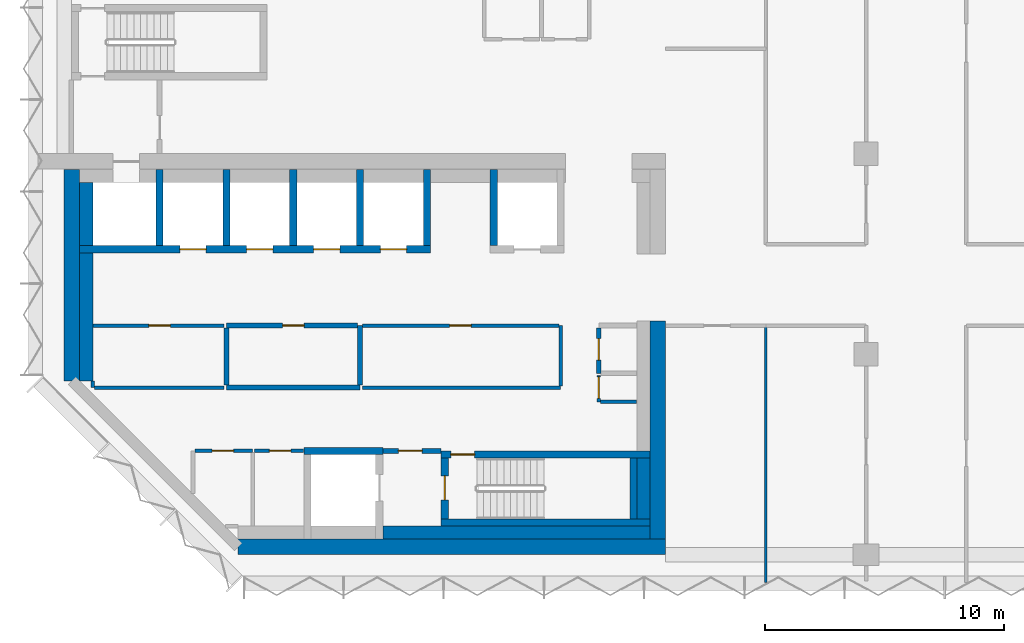
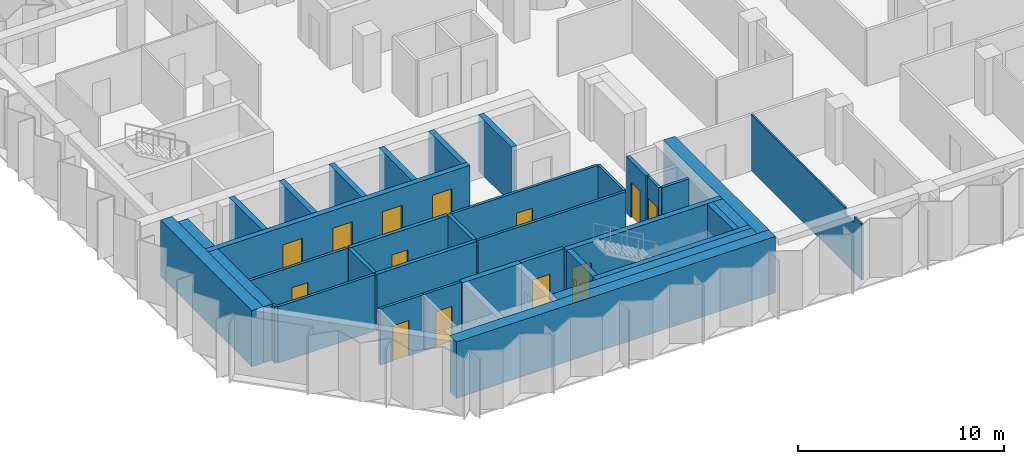
# One storey, part 5 of 10: 36 walls, 14 doors, 14 openings.
"""IFC4 building model written with IfcOpenShell, lengths in metres."""

from ifc_helpers import new_model, si_unit, direction, frame, frame_2d, origin, place, context, subcontext, project, spatial, polyline, rectangle, outline, extrude, material, layer, layer_set, type_object, element, fill, save


model = new_model("IFC4")

# Units and contexts
model_context = context("Model", 3, precision=1e-05, world=origin(), true_north=direction((0.0, 1.0)))
body_context = subcontext(model_context, "Body", "Model", "MODEL_VIEW")
ifc_project = project(units=[si_unit("LENGTHUNIT", "METRE"), si_unit("AREAUNIT", "SQUARE_METRE"), si_unit("VOLUMEUNIT", "CUBIC_METRE"), si_unit("PLANEANGLEUNIT", "RADIAN"), si_unit("MASSUNIT", "GRAM", prefix="KILO")], contexts=[model_context])

# Site, building, storey
site_placement = place(None, origin())
site = spatial("IfcSite", under=ifc_project, at=site_placement, CompositionType="ELEMENT")
building_placement = place(site_placement, origin())
building = spatial("IfcBuilding", under=site, at=building_placement, Name="Brevane Broadcast Tower", CompositionType="ELEMENT")
storey_placement = place(building_placement, frame((0.0, 0.0, 174.0)))
storey = spatial("IfcBuildingStorey", under=building, at=storey_placement, Name="L43", CompositionType="ELEMENT", Elevation=174.0)

# Walls
ifc_material_1 = material(Name="Concrete C32/40", Category="concrete")
ifc_layer_1 = layer(ifc_material_1, 0.550048828125)
ifc_layer_set_1 = layer_set([ifc_layer_1], Name="Core chase wall 550 mm")
wall_type_1 = type_object("IfcWallType", Name="Core chase wall 550 mm", PredefinedType="PARTITIONING", material=ifc_layer_set_1)
wall_1_placement = place(storey_placement, frame((0.925048828125, 7.286376953125, 0.0), z_axis=(0.0, 0.0, 1.0), x_axis=(0.0, 1.0, 0.0)))
element("IfcWall", 1, at=wall_1_placement, inside=storey, type_object=wall_type_1, Name="L43 chase wall LW-1", PredefinedType="PARTITIONING", context=body_context, shape_type="SweptSolid", body=[
    extrude(rectangle(XDim=5.363525390625, YDim=0.550048828125, at=frame_2d((2.681640625, 0.0))), origin(), (0.0, 0.0, 1.0), 3.35009765625),
])
wall_2_placement = place(storey_placement, frame((0.925048828125, 12.949951171875, 0.0), z_axis=(0.0, 0.0, 1.0), x_axis=(0.0, 1.0, 0.0)))
element("IfcWall", 2, at=wall_2_placement, inside=storey, type_object=wall_type_1, Name="L43 chase wall LW-2", PredefinedType="PARTITIONING", context=body_context, shape_type="SweptSolid", body=[
    extrude(rectangle(XDim=2.650146484375, YDim=0.550048828125, at=frame_2d((1.3251953125, 0.0))), origin(), (0.0, 0.0, 1.0), 3.35009765625),
])
wall_3_placement = place(storey_placement, frame((13.35009765625, 0.925048828125, 0.0), z_axis=(0.0, 0.0, 1.0), x_axis=(1.0, 0.0, 0.0)))
element("IfcWall", 3, at=wall_3_placement, inside=storey, type_object=wall_type_1, Name="L43 chase wall LS-2-2", PredefinedType="PARTITIONING", context=body_context, shape_type="SweptSolid", body=[
    extrude(rectangle(XDim=11.199951171875, YDim=0.550048828125, at=frame_2d((5.60009765625, 0.0))), origin(), (0.0, 0.0, 1.0), 3.35009765625),
])
wall_4_placement = place(storey_placement, frame((24.27490234375, 1.5, 0.0), z_axis=(0.0, 0.0, 1.0), x_axis=(0.0, 1.0, 0.0)))
element("IfcWall", 4, at=wall_4_placement, inside=storey, type_object=wall_type_1, Name="L43 chase wall LE1-2-1", PredefinedType="PARTITIONING", context=body_context, shape_type="SweptSolid", body=[
    extrude(rectangle(XDim=2.550048828125, YDim=0.550048828125, at=frame_2d((1.27490234375, 0.0))), origin(), (0.0, 0.0, 1.0), 3.35009765625),
])

# Wall, opening, door
ifc_material_2 = material(Name="Gypsum board on steel studs", Category="steel")
ifc_layer_2 = layer(ifc_material_2, 0.14990234375)
ifc_layer_set_2 = layer_set([ifc_layer_2], Name="Core fire partition 150 mm")
wall_type_2 = type_object("IfcWallType", Name="Core fire partition 150 mm", PredefinedType="PARTITIONING", material=ifc_layer_set_2)
wall_5_placement = place(storey_placement, frame((5.47509765625, 4.35009765625, 0.0), z_axis=(0.0, 0.0, 1.0), x_axis=(1.0, 0.0, 0.0)))
wall_5 = element("IfcWall", 5, at=wall_5_placement, inside=storey, type_object=wall_type_2, Name="L43 partition wall P12", PredefinedType="PARTITIONING", context=body_context, shape_type="SweptSolid", body=[
    extrude(rectangle(XDim=2.4248046875, YDim=0.14990234375, at=frame_2d((1.21240234375, 0.0))), origin(), (0.0, 0.0, 1.0), 3.35009765625),
])
opening_1_placement = place(wall_5_placement, frame((0.72509765625, 0.0, 0.0)))
opening_1 = element("IfcOpeningElement", 6, at=opening_1_placement, cuts=wall_5, Name="Opening L43-K14", PredefinedType="OPENING", context=body_context, shape_type="SweptSolid", body=[
    extrude(rectangle(XDim=0.89990234375, YDim=2.10009765625, at=frame_2d((0.449951171875, 1.050048828125))), frame((0.0, 0.0849609375, 0.0), z_axis=(0.0, -1.0, 0.0), x_axis=(1.0, 0.0, 0.0)), (0.0, 0.0, 1.0), 0.169921875),
])
ifc_material_3 = material(Name="Timber", Category="wood")
door_type_1 = type_object("IfcDoorType", Name="Toilet door 900 x 2100", OperationType="SINGLE_SWING_LEFT", PredefinedType="DOOR", material=ifc_material_3)
door_1_placement = place(opening_1_placement, origin())
door_1 = element("IfcDoor", 7, at=door_1_placement, inside=storey, type_object=door_type_1, Name="Door L43-K14", OperationType="SINGLE_SWING_RIGHT", OverallHeight=2.10009765625, OverallWidth=0.89990234375, PredefinedType="DOOR", context=body_context, shape_type="SweptSolid", body=[
    extrude(rectangle(XDim=0.89990234375, YDim=2.10009765625, at=frame_2d((0.449951171875, 1.050048828125))), frame((0.0, 0.02490234375, 0.0), z_axis=(0.0, -1.0, 0.0), x_axis=(1.0, 0.0, 0.0)), (0.0, 0.0, 1.0), 0.050048828125),
])
fill(opening_1, door_1)

wall_6_placement = place(storey_placement, frame((6.699951171875, 9.60009765625, 0.0), z_axis=(0.0, 0.0, 1.0), x_axis=(-1.0, 0.0, 0.0)))
wall_6 = element("IfcWall", 8, at=wall_6_placement, inside=storey, type_object=wall_type_2, Name="L43 partition wall P15", PredefinedType="PARTITIONING", context=body_context, shape_type="SweptSolid", body=[
    extrude(rectangle(XDim=5.488037109375, YDim=0.14990234375, at=frame_2d((2.744140625, 0.0))), origin(), (0.0, 0.0, 1.0), 3.35009765625),
])
opening_2_placement = place(wall_6_placement, frame((2.25, 0.0, 0.0)))
opening_2 = element("IfcOpeningElement", 9, at=opening_2_placement, cuts=wall_6, Name="Opening L43-K19", PredefinedType="OPENING", context=body_context, shape_type="SweptSolid", body=[
    extrude(rectangle(XDim=0.89990234375, YDim=2.10009765625, at=frame_2d((0.449951171875, 1.050048828125))), frame((0.0, 0.0849609375, 0.0), z_axis=(0.0, -1.0, 0.0), x_axis=(1.0, 0.0, 0.0)), (0.0, 0.0, 1.0), 0.169921875),
])
ifc_material_4 = material(Name="Steel", Category="steel")
door_type_2 = type_object("IfcDoorType", Name="Service room door 900 x 2100", OperationType="SINGLE_SWING_LEFT", PredefinedType="DOOR", material=ifc_material_4)
door_2_placement = place(opening_2_placement, origin())
door_2 = element("IfcDoor", 10, at=door_2_placement, inside=storey, type_object=door_type_2, Name="Door L43-K19", OperationType="SINGLE_SWING_LEFT", OverallHeight=2.10009765625, OverallWidth=0.89990234375, PredefinedType="DOOR", context=body_context, shape_type="SweptSolid", body=[
    extrude(rectangle(XDim=0.89990234375, YDim=2.10009765625, at=frame_2d((0.449951171875, 1.050048828125))), frame((0.0, 0.02490234375, 0.0), z_axis=(0.0, -1.0, 0.0), x_axis=(1.0, 0.0, 0.0)), (0.0, 0.0, 1.0), 0.050048828125),
])
fill(opening_2, door_2)

# Walls
wall_7_placement = place(storey_placement, frame((1.199951171875, 7.2744140625, 0.0), z_axis=(0.0, 0.0, 1.0), x_axis=(0.0, -1.0, 0.0)))
element("IfcWall", 11, at=wall_7_placement, inside=storey, type_object=wall_type_2, Name="L43 partition wall P16", PredefinedType="PARTITIONING", context=body_context, shape_type="SweptSolid", body=[
    extrude(rectangle(XDim=0.2744140625, YDim=0.14990234375, at=frame_2d((0.13720703125, 0.0))), origin(), (0.0, 0.0, 1.0), 3.35009765625),
])
wall_8_placement = place(storey_placement, frame((1.27490234375, 7.0, 0.0), z_axis=(0.0, 0.0, 1.0), x_axis=(1.0, 0.0, 0.0)))
element("IfcWall", 12, at=wall_8_placement, inside=storey, type_object=wall_type_2, Name="L43 partition wall P17", PredefinedType="PARTITIONING", context=body_context, shape_type="SweptSolid", body=[
    extrude(rectangle(XDim=5.425048828125, YDim=0.14990234375, at=frame_2d((2.71240234375, 0.0))), origin(), (0.0, 0.0, 1.0), 3.35009765625),
])

# Wall, opening, door
wall_9_placement = place(storey_placement, frame((10.0380859375, 4.35009765625, 0.0), z_axis=(0.0, 0.0, 1.0), x_axis=(-1.0, 0.0, 0.0)))
wall_9 = element("IfcWall", 13, at=wall_9_placement, inside=storey, type_object=wall_type_2, Name="L43 partition wall P18", PredefinedType="PARTITIONING", context=body_context, shape_type="SweptSolid", body=[
    extrude(rectangle(XDim=2.06298828125, YDim=0.14990234375, at=frame_2d((1.031494140625, 0.0))), origin(), (0.0, 0.0, 1.0), 3.35009765625),
])
opening_3_placement = place(wall_9_placement, frame((0.5380859375, 0.0, 0.0)))
opening_3 = element("IfcOpeningElement", 14, at=opening_3_placement, cuts=wall_9, Name="Opening L43-K15", PredefinedType="OPENING", context=body_context, shape_type="SweptSolid", body=[
    extrude(rectangle(XDim=0.89990234375, YDim=2.10009765625, at=frame_2d((0.449951171875, 1.050048828125))), frame((0.0, 0.0849609375, 0.0), z_axis=(0.0, -1.0, 0.0), x_axis=(1.0, 0.0, 0.0)), (0.0, 0.0, 1.0), 0.169921875),
])
door_3_placement = place(opening_3_placement, origin())
door_3 = element("IfcDoor", 15, at=door_3_placement, inside=storey, type_object=door_type_1, Name="Door L43-K15", OperationType="SINGLE_SWING_LEFT", OverallHeight=2.10009765625, OverallWidth=0.89990234375, PredefinedType="DOOR", context=body_context, shape_type="SweptSolid", body=[
    extrude(rectangle(XDim=0.89990234375, YDim=2.10009765625, at=frame_2d((0.449951171875, 1.050048828125))), frame((0.0, 0.02490234375, 0.0), z_axis=(0.0, -1.0, 0.0), x_axis=(1.0, 0.0, 0.0)), (0.0, 0.0, 1.0), 0.050048828125),
])
fill(opening_3, door_3)

# Walls
wall_10_placement = place(storey_placement, frame((12.5, 7.0, 0.0), z_axis=(0.0, 0.0, 1.0), x_axis=(1.0, 0.0, 0.0)))
element("IfcWall", 16, at=wall_10_placement, inside=storey, type_object=wall_type_2, Name="L43 partition wall P19", PredefinedType="PARTITIONING", context=body_context, shape_type="SweptSolid", body=[
    extrude(rectangle(XDim=8.300048828125, YDim=0.14990234375, at=frame_2d((4.14990234375, 0.0))), origin(), (0.0, 0.0, 1.0), 3.35009765625),
])
wall_11_placement = place(storey_placement, frame((20.800048828125, 7.074951171875, 0.0), z_axis=(0.0, 0.0, 1.0), x_axis=(0.0, 1.0, 0.0)))
element("IfcWall", 17, at=wall_11_placement, inside=storey, type_object=wall_type_2, Name="L43 partition wall P20", PredefinedType="PARTITIONING", context=body_context, shape_type="SweptSolid", body=[
    extrude(rectangle(XDim=2.525146484375, YDim=0.14990234375, at=frame_2d((1.2626953125, 0.0))), origin(), (0.0, 0.0, 1.0), 3.35009765625),
])

# Wall, opening, door
wall_12_placement = place(storey_placement, frame((20.72509765625, 9.60009765625, 0.0), z_axis=(0.0, 0.0, 1.0), x_axis=(-1.0, 0.0, 0.0)))
wall_12 = element("IfcWall", 18, at=wall_12_placement, inside=storey, type_object=wall_type_2, Name="L43 partition wall P21", PredefinedType="PARTITIONING", context=body_context, shape_type="SweptSolid", body=[
    extrude(rectangle(XDim=8.22509765625, YDim=0.14990234375, at=frame_2d((4.112548828125, 0.0))), origin(), (0.0, 0.0, 1.0), 3.35009765625),
])
opening_4_placement = place(wall_12_placement, frame((3.675048828125, 0.0, 0.0)))
opening_4 = element("IfcOpeningElement", 19, at=opening_4_placement, cuts=wall_12, Name="Opening L43-K21", PredefinedType="OPENING", context=body_context, shape_type="SweptSolid", body=[
    extrude(rectangle(XDim=0.89990234375, YDim=2.10009765625, at=frame_2d((0.449951171875, 1.050048828125))), frame((0.0, 0.0849609375, 0.0), z_axis=(0.0, -1.0, 0.0), x_axis=(1.0, 0.0, 0.0)), (0.0, 0.0, 1.0), 0.169921875),
])
door_4_placement = place(opening_4_placement, origin())
door_4 = element("IfcDoor", 20, at=door_4_placement, inside=storey, type_object=door_type_2, Name="Door L43-K21", OperationType="SINGLE_SWING_LEFT", OverallHeight=2.10009765625, OverallWidth=0.89990234375, PredefinedType="DOOR", context=body_context, shape_type="SweptSolid", body=[
    extrude(rectangle(XDim=0.89990234375, YDim=2.10009765625, at=frame_2d((0.449951171875, 1.050048828125))), frame((0.0, 0.02490234375, 0.0), z_axis=(0.0, -1.0, 0.0), x_axis=(1.0, 0.0, 0.0)), (0.0, 0.0, 1.0), 0.050048828125),
])
fill(opening_4, door_4)

wall_13_placement = place(storey_placement, frame((22.39990234375, 7.5, 0.0), z_axis=(0.0, 0.0, 1.0), x_axis=(0.0, -1.0, 0.0)))
wall_13 = element("IfcWall", 21, at=wall_13_placement, inside=storey, type_object=wall_type_2, Name="L43 partition wall P29", PredefinedType="PARTITIONING", context=body_context, shape_type="SweptSolid", body=[
    extrude(rectangle(XDim=1.10009765625, YDim=0.14990234375, at=frame_2d((0.550048828125, 0.0))), origin(), (0.0, 0.0, 1.0), 3.35009765625),
])
opening_5_placement = place(wall_13_placement, frame((0.050048828125, 0.0, 0.0)))
opening_5 = element("IfcOpeningElement", 22, at=opening_5_placement, cuts=wall_13, Name="Opening L43-K17", PredefinedType="OPENING", context=body_context, shape_type="SweptSolid", body=[
    extrude(rectangle(XDim=0.89990234375, YDim=2.10009765625, at=frame_2d((0.449951171875, 1.050048828125))), frame((0.0, 0.0849609375, 0.0), z_axis=(0.0, -1.0, 0.0), x_axis=(1.0, 0.0, 0.0)), (0.0, 0.0, 1.0), 0.169921875),
])
door_5_placement = place(opening_5_placement, origin())
door_5 = element("IfcDoor", 23, at=door_5_placement, inside=storey, type_object=door_type_2, Name="Door L43-K17", OperationType="SINGLE_SWING_LEFT", OverallHeight=2.10009765625, OverallWidth=0.89990234375, PredefinedType="DOOR", context=body_context, shape_type="SweptSolid", body=[
    extrude(rectangle(XDim=0.89990234375, YDim=2.10009765625, at=frame_2d((0.449951171875, 1.050048828125))), frame((0.0, 0.02490234375, 0.0), z_axis=(0.0, -1.0, 0.0), x_axis=(1.0, 0.0, 0.0)), (0.0, 0.0, 1.0), 0.050048828125),
])
fill(opening_5, door_5)

# Wall
wall_14_placement = place(storey_placement, frame((22.47509765625, 6.39990234375, 0.0), z_axis=(0.0, 0.0, 1.0), x_axis=(1.0, 0.0, 0.0)))
element("IfcWall", 24, at=wall_14_placement, inside=storey, type_object=wall_type_2, Name="L43 partition wall P30", PredefinedType="PARTITIONING", context=body_context, shape_type="SweptSolid", body=[
    extrude(rectangle(XDim=1.512939453125, YDim=0.14990234375, at=frame_2d((0.75634765625, 0.0))), origin(), (0.0, 0.0, 1.0), 3.35009765625),
])

# Wall, opening, door
ifc_layer_3 = layer(ifc_material_2, 0.199951171875)
ifc_layer_set_3 = layer_set([ifc_layer_3], Name="Core fire partition 200 mm")
wall_type_3 = type_object("IfcWallType", Name="Core fire partition 200 mm", PredefinedType="PARTITIONING", material=ifc_layer_set_3)
wall_15_placement = place(storey_placement, frame((13.362060546875, 4.35009765625, 0.0), z_axis=(0.0, 0.0, 1.0), x_axis=(1.0, 0.0, 0.0)))
wall_15 = element("IfcWall", 25, at=wall_15_placement, inside=storey, type_object=wall_type_3, Name="L43 partition wall P03", PredefinedType="PARTITIONING", context=body_context, shape_type="SweptSolid", body=[
    extrude(rectangle(XDim=2.426025390625, YDim=0.199951171875, at=frame_2d((1.212890625, 0.0))), origin(), (0.0, 0.0, 1.0), 3.35009765625),
])
opening_6_placement = place(wall_15_placement, frame((0.637939453125, 0.0, 0.0)))
opening_6 = element("IfcOpeningElement", 26, at=opening_6_placement, cuts=wall_15, Name="Opening L43-K16", PredefinedType="OPENING", context=body_context, shape_type="SweptSolid", body=[
    extrude(rectangle(XDim=1.0, YDim=2.10009765625, at=frame_2d((0.5, 1.050048828125))), frame((0.0, 0.10986328125, 0.0), z_axis=(0.0, -1.0, 0.0), x_axis=(1.0, 0.0, 0.0)), (0.0, 0.0, 1.0), 0.219970703125),
])
door_type_3 = type_object("IfcDoorType", Name="Stair door 1000 x 2100", OperationType="SINGLE_SWING_LEFT", PredefinedType="DOOR", material=ifc_material_4)
door_6_placement = place(opening_6_placement, origin())
door_6 = element("IfcDoor", 27, at=door_6_placement, inside=storey, type_object=door_type_3, Name="Door L43-K16", OperationType="SINGLE_SWING_RIGHT", OverallHeight=2.10009765625, OverallWidth=1.0, PredefinedType="DOOR", context=body_context, shape_type="SweptSolid", body=[
    extrude(rectangle(XDim=1.0, YDim=2.10009765625, at=frame_2d((0.5, 1.050048828125))), frame((0.0, 0.02490234375, 0.0), z_axis=(0.0, -1.0, 0.0), x_axis=(1.0, 0.0, 0.0)), (0.0, 0.0, 1.0), 0.050048828125),
])
fill(opening_6, door_6)

wall_16_placement = place(storey_placement, frame((22.39990234375, 9.5, 0.0), z_axis=(0.0, 0.0, 1.0), x_axis=(0.0, -1.0, 0.0)))
wall_16 = element("IfcWall", 28, at=wall_16_placement, inside=storey, type_object=wall_type_3, Name="L43 partition wall P05", PredefinedType="PARTITIONING", context=body_context, shape_type="SweptSolid", body=[
    extrude(rectangle(XDim=1.89990234375, YDim=0.199951171875, at=frame_2d((0.949951171875, 0.0))), origin(), (0.0, 0.0, 1.0), 3.35009765625),
])
opening_7_placement = place(wall_16_placement, frame((0.449951171875, 0.0, 0.0)))
opening_7 = element("IfcOpeningElement", 29, at=opening_7_placement, cuts=wall_16, Name="Opening L43-K18", PredefinedType="OPENING", context=body_context, shape_type="SweptSolid", body=[
    extrude(rectangle(XDim=0.89990234375, YDim=2.10009765625, at=frame_2d((0.449951171875, 1.050048828125))), frame((0.0, 0.10986328125, 0.0), z_axis=(0.0, -1.0, 0.0), x_axis=(1.0, 0.0, 0.0)), (0.0, 0.0, 1.0), 0.219970703125),
])
door_7_placement = place(opening_7_placement, origin())
door_7 = element("IfcDoor", 30, at=door_7_placement, inside=storey, type_object=door_type_2, Name="Door L43-K18", OperationType="SINGLE_SWING_RIGHT", OverallHeight=2.10009765625, OverallWidth=0.89990234375, PredefinedType="DOOR", context=body_context, shape_type="SweptSolid", body=[
    extrude(rectangle(XDim=0.89990234375, YDim=2.10009765625, at=frame_2d((0.449951171875, 1.050048828125))), frame((0.0, 0.02490234375, 0.0), z_axis=(0.0, -1.0, 0.0), x_axis=(1.0, 0.0, 0.0)), (0.0, 0.0, 1.0), 0.050048828125),
])
fill(opening_7, door_7)

# Walls
wall_17_placement = place(storey_placement, frame((6.800048828125, 7.0, 0.0), z_axis=(0.0, 0.0, 1.0), x_axis=(1.0, 0.0, 0.0)))
element("IfcWall", 31, at=wall_17_placement, inside=storey, type_object=wall_type_3, Name="L43 partition wall P07", PredefinedType="PARTITIONING", context=body_context, shape_type="SweptSolid", body=[
    extrude(rectangle(XDim=5.599853515625, YDim=0.199951171875, at=frame_2d((2.7998046875, 0.0))), origin(), (0.0, 0.0, 1.0), 3.35009765625),
])
wall_18_placement = place(storey_placement, frame((12.39990234375, 7.10009765625, 0.0), z_axis=(0.0, 0.0, 1.0), x_axis=(0.0, 1.0, 0.0)))
element("IfcWall", 32, at=wall_18_placement, inside=storey, type_object=wall_type_3, Name="L43 partition wall P08", PredefinedType="PARTITIONING", context=body_context, shape_type="SweptSolid", body=[
    extrude(rectangle(XDim=2.5, YDim=0.199951171875, at=frame_2d((1.25, 0.0))), origin(), (0.0, 0.0, 1.0), 3.35009765625),
])

# Wall, opening, door
wall_19_placement = place(storey_placement, frame((12.300048828125, 9.60009765625, 0.0), z_axis=(0.0, 0.0, 1.0), x_axis=(-1.0, 0.0, 0.0)))
wall_19 = element("IfcWall", 33, at=wall_19_placement, inside=storey, type_object=wall_type_3, Name="L43 partition wall P09", PredefinedType="PARTITIONING", context=body_context, shape_type="SweptSolid", body=[
    extrude(rectangle(XDim=5.5, YDim=0.199951171875, at=frame_2d((2.75, 0.0))), origin(), (0.0, 0.0, 1.0), 3.35009765625),
])
opening_8_placement = place(wall_19_placement, frame((2.25, 0.0, 0.0)))
opening_8 = element("IfcOpeningElement", 34, at=opening_8_placement, cuts=wall_19, Name="Opening L43-K20", PredefinedType="OPENING", context=body_context, shape_type="SweptSolid", body=[
    extrude(rectangle(XDim=0.89990234375, YDim=2.10009765625, at=frame_2d((0.449951171875, 1.050048828125))), frame((0.0, 0.10986328125, 0.0), z_axis=(0.0, -1.0, 0.0), x_axis=(1.0, 0.0, 0.0)), (0.0, 0.0, 1.0), 0.219970703125),
])
door_8_placement = place(opening_8_placement, origin())
door_8 = element("IfcDoor", 35, at=door_8_placement, inside=storey, type_object=door_type_2, Name="Door L43-K20", OperationType="SINGLE_SWING_RIGHT", OverallHeight=2.10009765625, OverallWidth=0.89990234375, PredefinedType="DOOR", context=body_context, shape_type="SweptSolid", body=[
    extrude(rectangle(XDim=0.89990234375, YDim=2.10009765625, at=frame_2d((0.449951171875, 1.050048828125))), frame((0.0, 0.02490234375, 0.0), z_axis=(0.0, -1.0, 0.0), x_axis=(1.0, 0.0, 0.0)), (0.0, 0.0, 1.0), 0.050048828125),
])
fill(opening_8, door_8)

# Wall
wall_20_placement = place(storey_placement, frame((6.800048828125, 9.5, 0.0), z_axis=(0.0, 0.0, 1.0), x_axis=(0.0, -1.0, 0.0)))
element("IfcWall", 36, at=wall_20_placement, inside=storey, type_object=wall_type_3, Name="L43 partition wall P10", PredefinedType="PARTITIONING", context=body_context, shape_type="SweptSolid", body=[
    extrude(rectangle(XDim=2.39990234375, YDim=0.199951171875, at=frame_2d((1.199951171875, 0.0))), origin(), (0.0, 0.0, 1.0), 3.35009765625),
])

# Wall, openings, doors
ifc_material_5 = material(Name="Concrete C60/75", Category="concrete")
ifc_layer_4 = layer(ifc_material_5, 0.300048828125)
ifc_layer_set_4 = layer_set([ifc_layer_4], Name="Core wall 300 mm C60/75")
wall_type_4 = type_object("IfcWallType", Name="Core wall 300 mm C60/75", PredefinedType="SHEAR", material=ifc_layer_set_4)
wall_21_placement = place(storey_placement, frame((0.64990234375, 12.800048828125, 0.0), z_axis=(0.0, 0.0, 1.0), x_axis=(1.0, 0.0, 0.0)))
wall_21 = element("IfcWall", 37, at=wall_21_placement, inside=storey, type_object=wall_type_4, Name="L43 shaft wall SH-N012-front", PredefinedType="SHEAR", context=body_context, shape_type="SweptSolid", body=[
    extrude(rectangle(XDim=14.7001953125, YDim=0.300048828125, at=frame_2d((7.35009765625, 0.0))), origin(), (0.0, 0.0, 1.0), 3.35009765625),
])
opening_9_placement = place(wall_21_placement, frame((4.199951171875, 0.0, 0.0)))
opening_9 = element("IfcOpeningElement", 38, at=opening_9_placement, cuts=wall_21, Name="Opening LD", PredefinedType="OPENING", context=body_context, shape_type="SweptSolid", body=[
    extrude(rectangle(XDim=1.10009765625, YDim=2.300048828125, at=frame_2d((0.550048828125, 1.14990234375))), frame((0.0, 0.159912109375, 0.0), z_axis=(0.0, -1.0, 0.0), x_axis=(1.0, 0.0, 0.0)), (0.0, 0.0, 1.0), 0.320068359375),
])
opening_10_placement = place(wall_21_placement, frame((7.0, 0.0, 0.0)))
opening_10 = element("IfcOpeningElement", 39, at=opening_10_placement, cuts=wall_21, Name="Opening LD", PredefinedType="OPENING", context=body_context, shape_type="SweptSolid", body=[
    extrude(rectangle(XDim=1.10009765625, YDim=2.300048828125, at=frame_2d((0.550048828125, 1.14990234375))), frame((0.0, 0.159912109375, 0.0), z_axis=(0.0, -1.0, 0.0), x_axis=(1.0, 0.0, 0.0)), (0.0, 0.0, 1.0), 0.320068359375),
])
opening_11_placement = place(wall_21_placement, frame((9.800048828125, 0.0, 0.0)))
opening_11 = element("IfcOpeningElement", 40, at=opening_11_placement, cuts=wall_21, Name="Opening LD", PredefinedType="OPENING", context=body_context, shape_type="SweptSolid", body=[
    extrude(rectangle(XDim=1.10009765625, YDim=2.300048828125, at=frame_2d((0.550048828125, 1.14990234375))), frame((0.0, 0.159912109375, 0.0), z_axis=(0.0, -1.0, 0.0), x_axis=(1.0, 0.0, 0.0)), (0.0, 0.0, 1.0), 0.320068359375),
])
opening_12_placement = place(wall_21_placement, frame((12.60009765625, 0.0, 0.0)))
opening_12 = element("IfcOpeningElement", 41, at=opening_12_placement, cuts=wall_21, Name="Opening LD", PredefinedType="OPENING", context=body_context, shape_type="SweptSolid", body=[
    extrude(rectangle(XDim=1.10009765625, YDim=2.300048828125, at=frame_2d((0.550048828125, 1.14990234375))), frame((0.0, 0.159912109375, 0.0), z_axis=(0.0, -1.0, 0.0), x_axis=(1.0, 0.0, 0.0)), (0.0, 0.0, 1.0), 0.320068359375),
])
ifc_material_6 = material(Name="Stainless steel", Category="steel")
door_type_4 = type_object("IfcDoorType", Name="Lift landing door", OperationType="SLIDING_TO_LEFT", PredefinedType="DOOR", material=ifc_material_6)
door_9_placement = place(opening_9_placement, origin())
door_9 = element("IfcDoor", 42, at=door_9_placement, inside=storey, type_object=door_type_4, Name="Landing door HR1 L43", OperationType="SLIDING_TO_LEFT", OverallHeight=2.300048828125, OverallWidth=1.10009765625, PredefinedType="DOOR", context=body_context, shape_type="SweptSolid", body=[
    extrude(rectangle(XDim=1.10009765625, YDim=2.300048828125, at=frame_2d((0.550048828125, 1.14990234375))), frame((0.0, 0.02490234375, 0.0), z_axis=(0.0, -1.0, 0.0), x_axis=(1.0, 0.0, 0.0)), (0.0, 0.0, 1.0), 0.050048828125),
])
fill(opening_9, door_9)
door_10_placement = place(opening_10_placement, origin())
door_10 = element("IfcDoor", 43, at=door_10_placement, inside=storey, type_object=door_type_4, Name="Landing door HR2 L43", OperationType="SLIDING_TO_LEFT", OverallHeight=2.300048828125, OverallWidth=1.10009765625, PredefinedType="DOOR", context=body_context, shape_type="SweptSolid", body=[
    extrude(rectangle(XDim=1.10009765625, YDim=2.300048828125, at=frame_2d((0.550048828125, 1.14990234375))), frame((0.0, 0.02490234375, 0.0), z_axis=(0.0, -1.0, 0.0), x_axis=(1.0, 0.0, 0.0)), (0.0, 0.0, 1.0), 0.050048828125),
])
fill(opening_10, door_10)
door_11_placement = place(opening_11_placement, origin())
door_11 = element("IfcDoor", 44, at=door_11_placement, inside=storey, type_object=door_type_4, Name="Landing door HR3 L43", OperationType="SLIDING_TO_LEFT", OverallHeight=2.300048828125, OverallWidth=1.10009765625, PredefinedType="DOOR", context=body_context, shape_type="SweptSolid", body=[
    extrude(rectangle(XDim=1.10009765625, YDim=2.300048828125, at=frame_2d((0.550048828125, 1.14990234375))), frame((0.0, 0.02490234375, 0.0), z_axis=(0.0, -1.0, 0.0), x_axis=(1.0, 0.0, 0.0)), (0.0, 0.0, 1.0), 0.050048828125),
])
fill(opening_11, door_11)
door_12_placement = place(opening_12_placement, origin())
door_12 = element("IfcDoor", 45, at=door_12_placement, inside=storey, type_object=door_type_4, Name="Landing door HR4 L43", OperationType="SLIDING_TO_LEFT", OverallHeight=2.300048828125, OverallWidth=1.10009765625, PredefinedType="DOOR", context=body_context, shape_type="SweptSolid", body=[
    extrude(rectangle(XDim=1.10009765625, YDim=2.300048828125, at=frame_2d((0.550048828125, 1.14990234375))), frame((0.0, 0.02490234375, 0.0), z_axis=(0.0, -1.0, 0.0), x_axis=(1.0, 0.0, 0.0)), (0.0, 0.0, 1.0), 0.050048828125),
])
fill(opening_12, door_12)

# Walls
for number, where, z_axis, x_axis, name in (
    (46, (4.0, 12.949951171875, 0.0), (0.0, 0.0, 1.0), (0.0, 1.0, 0.0), "L43 shaft wall SH-N-P040"),
    (47, (6.800048828125, 12.949951171875, 0.0), (0.0, 0.0, 1.0), (0.0, 1.0, 0.0), "L43 shaft wall SH-N-P068"),
    (48, (9.60009765625, 12.949951171875, 0.0), (0.0, 0.0, 1.0), (0.0, 1.0, 0.0), "L43 shaft wall SH-N-P096"),
    (49, (12.39990234375, 12.949951171875, 0.0), (0.0, 0.0, 1.0), (0.0, 1.0, 0.0), "L43 shaft wall SH-N-P124"),
    (50, (15.199951171875, 12.949951171875, 0.0), (0.0, 0.0, 1.0), (0.0, 1.0, 0.0), "L43 shaft wall SH-N-P152"),
    (51, (18.0, 12.949951171875, 0.0), (0.0, 0.0, 1.0), (0.0, 1.0, 0.0), "L43 shaft wall SH-N-P180"),
):
    element("IfcWall", number, at=place(storey_placement, frame(where, z_axis=z_axis, x_axis=x_axis)), inside=storey, type_object=wall_type_4, Name=name, PredefinedType="SHEAR", context=body_context, shape_type="SweptSolid", body=[
        extrude(rectangle(XDim=3.199951171875, YDim=0.300048828125, at=frame_2d((1.60009765625, 0.0))), origin(), (0.0, 0.0, 1.0), 3.35009765625),
    ])
wall_22_placement = place(storey_placement, frame((10.050048828125, 4.35009765625, 0.0), z_axis=(0.0, 0.0, 1.0), x_axis=(1.0, 0.0, 0.0)))
element("IfcWall", 52, at=wall_22_placement, inside=storey, type_object=wall_type_4, Name="L43 shaft wall FF2-N", PredefinedType="SHEAR", context=body_context, shape_type="SweptSolid", body=[
    extrude(rectangle(XDim=3.300048828125, YDim=0.300048828125, at=frame_2d((1.64990234375, 0.0))), origin(), (0.0, 0.0, 1.0), 3.35009765625),
])
wall_23_placement = place(storey_placement, frame((15.800048828125, 1.35009765625, 0.0), z_axis=(0.0, 0.0, 1.0), x_axis=(1.0, 0.0, 0.0)))
element("IfcWall", 53, at=wall_23_placement, inside=storey, type_object=wall_type_4, Name="L43 stair wall ST-2-S", PredefinedType="SHEAR", context=body_context, shape_type="SweptSolid", body=[
    extrude(rectangle(XDim=8.75, YDim=0.300048828125, at=frame_2d((4.375, 0.0))), origin(), (0.0, 0.0, 1.0), 3.35009765625),
])

# Wall, opening, door
wall_24_placement = place(storey_placement, frame((15.800048828125, 4.199951171875, 0.0), z_axis=(0.0, 0.0, 1.0), x_axis=(1.0, 0.0, 0.0)))
wall_24 = element("IfcWall", 54, at=wall_24_placement, inside=storey, type_object=wall_type_4, Name="L43 stair wall ST-2-N", PredefinedType="SHEAR", context=body_context, shape_type="SweptSolid", body=[
    extrude(rectangle(XDim=8.75, YDim=0.300048828125, at=frame_2d((4.375, 0.0))), origin(), (0.0, 0.0, 1.0), 3.35009765625),
])
opening_13_placement = place(wall_24_placement, frame((0.39990234375, 0.0, 0.0)))
opening_13 = element("IfcOpeningElement", 55, at=opening_13_placement, cuts=wall_24, Name="Opening L43-K11", PredefinedType="OPENING", context=body_context, shape_type="SweptSolid", body=[
    extrude(rectangle(XDim=1.0, YDim=2.10009765625, at=frame_2d((0.5, 1.050048828125))), frame((0.0, 0.159912109375, 0.0), z_axis=(0.0, -1.0, 0.0), x_axis=(1.0, 0.0, 0.0)), (0.0, 0.0, 1.0), 0.320068359375),
])
door_13_placement = place(opening_13_placement, origin())
door_13 = element("IfcDoor", 56, at=door_13_placement, inside=storey, type_object=door_type_3, Name="Door L43-K11", OperationType="SINGLE_SWING_LEFT", OverallHeight=2.10009765625, OverallWidth=1.0, PredefinedType="DOOR", context=body_context, shape_type="SweptSolid", body=[
    extrude(rectangle(XDim=1.0, YDim=2.10009765625, at=frame_2d((0.5, 1.050048828125))), frame((0.0, 0.02490234375, 0.0), z_axis=(0.0, -1.0, 0.0), x_axis=(1.0, 0.0, 0.0)), (0.0, 0.0, 1.0), 0.050048828125),
])
fill(opening_13, door_13)

wall_25_placement = place(storey_placement, frame((15.949951171875, 1.5, 0.0), z_axis=(0.0, 0.0, 1.0), x_axis=(0.0, 1.0, 0.0)))
wall_25 = element("IfcWall", 57, at=wall_25_placement, inside=storey, type_object=wall_type_4, Name="L43 stair wall ST-2-W", PredefinedType="SHEAR", context=body_context, shape_type="SweptSolid", body=[
    extrude(rectangle(XDim=2.550048828125, YDim=0.300048828125, at=frame_2d((1.27490234375, 0.0))), origin(), (0.0, 0.0, 1.0), 3.35009765625),
])
opening_14_placement = place(wall_25_placement, frame((0.800048828125, 0.0, 0.0)))
opening_14 = element("IfcOpeningElement", 58, at=opening_14_placement, cuts=wall_25, Name="Opening L43-K10", PredefinedType="OPENING", context=body_context, shape_type="SweptSolid", body=[
    extrude(rectangle(XDim=1.0, YDim=2.10009765625, at=frame_2d((0.5, 1.050048828125))), frame((0.0, 0.159912109375, 0.0), z_axis=(0.0, -1.0, 0.0), x_axis=(1.0, 0.0, 0.0)), (0.0, 0.0, 1.0), 0.320068359375),
])
door_14_placement = place(opening_14_placement, origin())
door_14 = element("IfcDoor", 59, at=door_14_placement, inside=storey, type_object=door_type_3, Name="Door L43-K10", OperationType="SINGLE_SWING_RIGHT", OverallHeight=2.10009765625, OverallWidth=1.0, PredefinedType="DOOR", context=body_context, shape_type="SweptSolid", body=[
    extrude(rectangle(XDim=1.0, YDim=2.10009765625, at=frame_2d((0.5, 1.050048828125))), frame((0.0, 0.02490234375, 0.0), z_axis=(0.0, -1.0, 0.0), x_axis=(1.0, 0.0, 0.0)), (0.0, 0.0, 1.0), 0.050048828125),
])
fill(opening_14, door_14)

# Walls
wall_26_placement = place(storey_placement, frame((23.85009765625, 1.5, 0.0), z_axis=(0.0, 0.0, 1.0), x_axis=(0.0, 1.0, 0.0)))
element("IfcWall", 60, at=wall_26_placement, inside=storey, type_object=wall_type_4, Name="L43 stair wall ST-2-E", PredefinedType="SHEAR", context=body_context, shape_type="SweptSolid", body=[
    extrude(rectangle(XDim=2.550048828125, YDim=0.300048828125, at=frame_2d((1.27490234375, 0.0))), origin(), (0.0, 0.0, 1.0), 3.35009765625),
])
ifc_layer_5 = layer(ifc_material_5, 0.64990234375)
ifc_layer_set_5 = layer_set([ifc_layer_5], Name="Core wall 650 mm C60/75")
wall_type_5 = type_object("IfcWallType", Name="Core wall 650 mm C60/75", PredefinedType="SHEAR", material=ifc_layer_set_5)
wall_27_placement = place(storey_placement, frame((7.286376953125, 0.324951171875, 0.0), z_axis=(0.0, 0.0, 1.0), x_axis=(1.0, 0.0, 0.0)))
element("IfcWall", 61, at=wall_27_placement, inside=storey, type_object=wall_type_5, Name="L43 outer wall WS", PredefinedType="SHEAR", context=body_context, shape_type="SweptSolid", body=[
    extrude(rectangle(XDim=17.91357421875, YDim=0.64990234375, at=frame_2d((8.956787109375, 0.0))), origin(), (0.0, 0.0, 1.0), 3.35009765625),
])
wall_28_placement = place(storey_placement, frame((0.324951171875, 7.286376953125, 0.0), z_axis=(0.0, 0.0, 1.0), x_axis=(0.0, 1.0, 0.0)))
element("IfcWall", 62, at=wall_28_placement, inside=storey, type_object=wall_type_5, Name="L43 outer wall WW", PredefinedType="SHEAR", context=body_context, shape_type="SweptSolid", body=[
    extrude(rectangle(XDim=8.863525390625, YDim=0.64990234375, at=frame_2d((4.431640625, 0.0))), origin(), (0.0, 0.0, 1.0), 3.35009765625),
])
wall_29_placement = place(storey_placement, frame((24.875, 0.64990234375, 0.0), z_axis=(0.0, 0.0, 1.0), x_axis=(0.0, 1.0, 0.0)))
element("IfcWall", 63, at=wall_29_placement, inside=storey, type_object=wall_type_5, Name="L43 outer wall WE1", PredefinedType="SHEAR", context=body_context, shape_type="SweptSolid", body=[
    extrude(rectangle(XDim=9.150146484375, YDim=0.64990234375, at=frame_2d((4.5751953125, 0.0))), origin(), (0.0, 0.0, 1.0), 3.35009765625),
])
ifc_material_7 = material(Name="Gypsum board partition")
ifc_layer_6 = layer(ifc_material_7, 0.10009765625)
ifc_layer_set_6 = layer_set([ifc_layer_6], Name="PARTITION 100 STUD")
wall_type_6 = type_object("IfcWallType", Name="PARTITION 100 STUD", PredefinedType="PARTITIONING", material=ifc_layer_set_6)
wall_30_placement = place(storey_placement, frame((29.39990234375, 9.60009765625, 0.0), z_axis=(0.0, 0.0, 1.0), x_axis=(0.0, -1.0, 0.0)))
element("IfcWall", 64, at=wall_30_placement, inside=storey, type_object=wall_type_6, Name="Partition G12-022", PredefinedType="PARTITIONING", context=body_context, shape_type="SweptSolid", body=[
    extrude(outline(polyline([(0.0, 0.0), (10.774169921875, 0.0), (10.77392578125, 3.330078125), (10.699951171875, 3.330078125), (10.050048828125, 3.330078125), (10.048095703125, 2.97998046875), (9.152099609375, 2.97998046875), (9.14990234375, 3.330078125), (0.0, 3.330078125), (0.0, 0.0)])), frame((0.0, 0.050048828125, 0.0), z_axis=(0.0, -1.0, 0.0), x_axis=(1.0, 0.0, 0.0)), (0.0, 0.0, 1.0), 0.10009765625),
])

save(model, "model.ifc")
